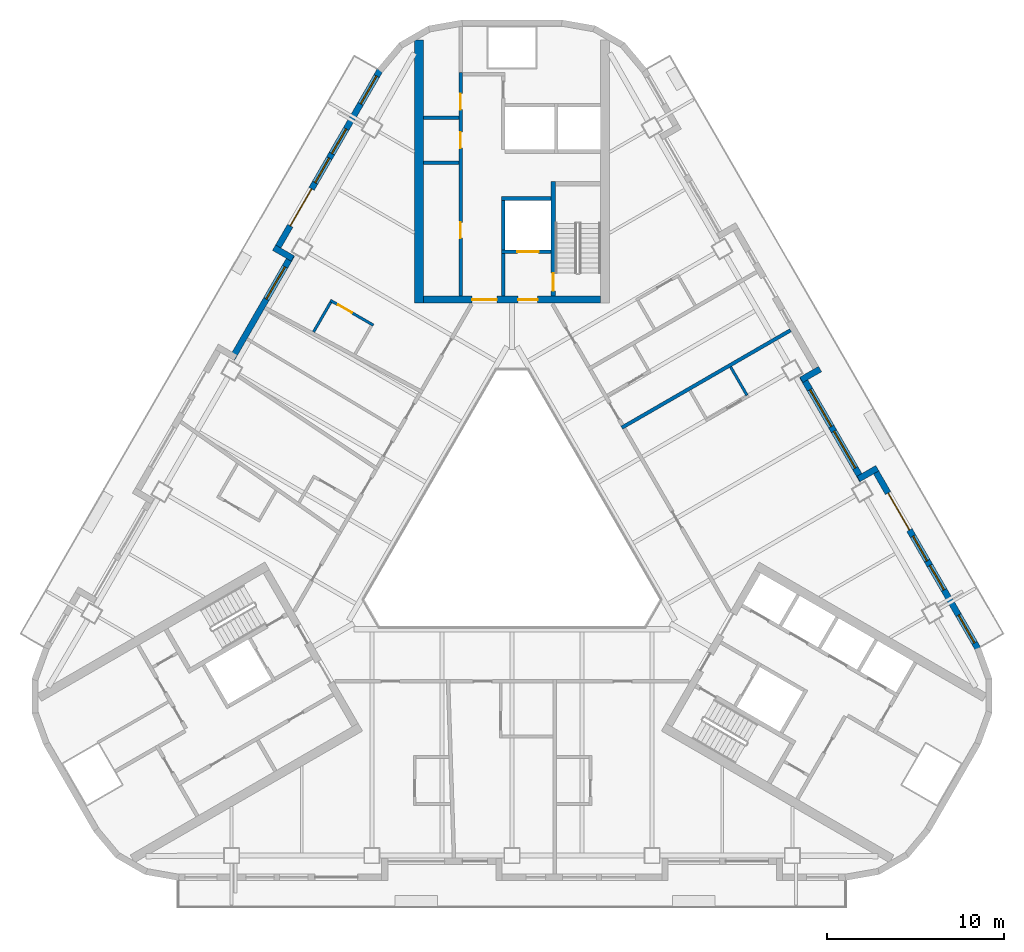
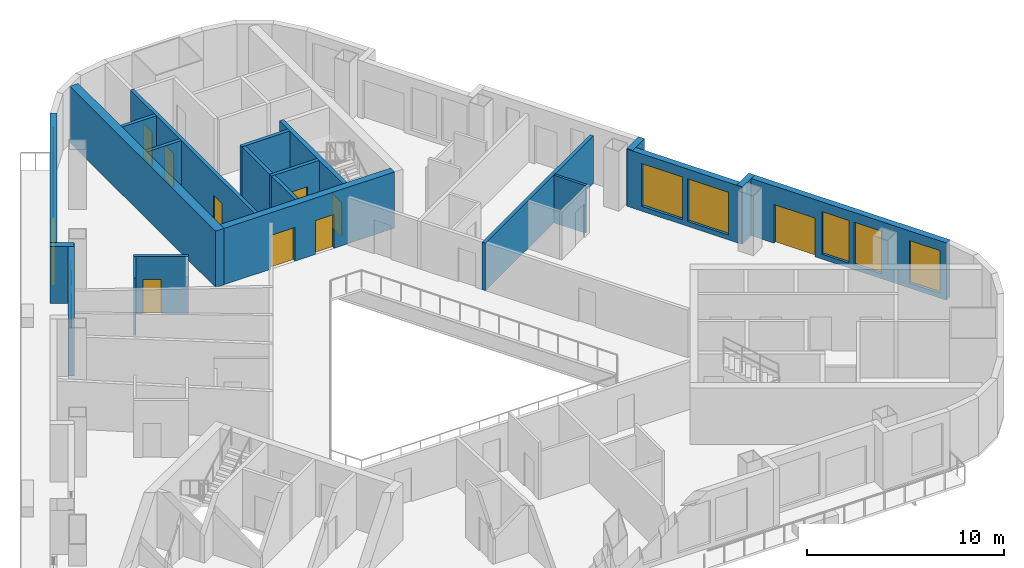
# One storey, part 6 of 13: 21 walls, 10 doors, 9 windows, 19 openings.
"""IFC4 building model written with IfcOpenShell, lengths in metres."""

import ifcopenshell
import ifcopenshell.guid

model = None  # the IFC model being written
_history = None  # IfcOwnerHistory: only IFC2X3 demands one
_inside = {}  # id of a spatial element -> (the spatial element, [elements in it])
_under = {}  # id of a project, library or spatial element -> (it, [spatial elements below it])
_declared = {}  # id of a project -> (the project, [libraries it declares])
_typed = {}  # id of a type object -> (the type object, [elements of that type])
_made_of = {}  # id of a material, layer set ... -> (it, [elements and type objects made of it])


def new_model(schema):
    """Start an empty IFC model of exactly this schema.

    Asked for "IFC4X3", IfcOpenShell would pick the latest addendum, in which some entities
    have other attributes; the version numbers below select the first issue.
    IFC2X3 requires an IfcOwnerHistory on every rooted entity: one is made here for all.
    """
    global model, _history
    if schema == "IFC4X3":
        model = ifcopenshell.file(schema_version=(4, 3, 0, 0))
    else:
        model = ifcopenshell.file(schema=schema)
    _inside.clear()
    _under.clear()
    _declared.clear()
    _typed.clear()
    _made_of.clear()
    _history = None
    if model.schema == "IFC2X3":
        org = make("IfcOrganization", Name="unknown")
        user = make(
            "IfcPersonAndOrganization",
            ThePerson=make("IfcPerson", FamilyName="unknown"),
            TheOrganization=org,
        )
        app = make(
            "IfcApplication",
            ApplicationDeveloper=org,
            Version="unknown",
            ApplicationFullName="unknown",
            ApplicationIdentifier="unknown",
        )
        _history = make(
            "IfcOwnerHistory",
            OwningUser=user,
            OwningApplication=app,
            ChangeAction="ADDED",
            CreationDate=0,
        )
    return model


def make(cls, **values):
    """One entity of the class cls with the attributes given. An attribute that is None is left unset."""
    return model.create_entity(
        cls, **{name: value for name, value in values.items() if value is not None}
    )


def rooted(cls, **values):
    """An entity with a GlobalId (a new one), such as an element, a storey or a relation."""
    return make(cls, GlobalId=ifcopenshell.guid.new(), OwnerHistory=_history, **values)


def si_unit(unit_type, name, prefix=None):
    """IfcSIUnit, for example si_unit("LENGTHUNIT", "METRE", prefix="MILLI")."""
    return make("IfcSIUnit", UnitType=unit_type, Prefix=prefix, Name=name)


def assignment(units):
    """IfcUnitAssignment: the units of a project."""
    return None if units is None else make("IfcUnitAssignment", Units=units)


def point(xyz):
    """IfcCartesianPoint."""
    return None if xyz is None else make("IfcCartesianPoint", Coordinates=xyz)


def direction(xyz):
    """IfcDirection."""
    return None if xyz is None else make("IfcDirection", DirectionRatios=xyz)


def frame(location, z_axis=None, x_axis=None):
    """IfcAxis2Placement3D, a coordinate frame: its origin and axes. An axis left out is left unset."""
    return make(
        "IfcAxis2Placement3D",
        Location=point(location),
        Axis=direction(z_axis),
        RefDirection=direction(x_axis),
    )


def frame_2d(location, x_axis=None):
    """IfcAxis2Placement2D, a coordinate frame in the plane: its origin and x axis."""
    return make(
        "IfcAxis2Placement2D", Location=point(location), RefDirection=direction(x_axis)
    )


def origin():
    """The frame at (0, 0, 0) with its axes left unset."""
    return frame((0.0, 0.0, 0.0))


def place(relative_to, where):
    """IfcLocalPlacement: puts the frame where relative to a parent placement (None: the world)."""
    return make(
        "IfcLocalPlacement", PlacementRelTo=relative_to, RelativePlacement=where
    )


def context(
    kind, dimensions, precision=None, world=None, true_north=None, identifier=None
):
    """IfcGeometricRepresentationContext, for example the 3D "Model" context."""
    return make(
        "IfcGeometricRepresentationContext",
        ContextIdentifier=identifier,
        ContextType=kind,
        CoordinateSpaceDimension=dimensions,
        Precision=precision,
        WorldCoordinateSystem=world,
        TrueNorth=true_north,
    )


def subcontext(parent, identifier, kind, view, scale=None):
    """IfcGeometricRepresentationSubContext, for example "Body" below "Model"."""
    return make(
        "IfcGeometricRepresentationSubContext",
        ContextIdentifier=identifier,
        ContextType=kind,
        ParentContext=parent,
        TargetScale=scale,
        TargetView=view,
    )


def project(units=None, contexts=None):
    """IfcProject with its units and contexts."""
    return rooted(
        "IfcProject",
        Name="project",
        RepresentationContexts=contexts,
        UnitsInContext=assignment(units),
    )


def spatial(cls, under=None, at=None, **own):
    """A site, building, storey or space (cls), placed at a placement, below another one or the project."""
    s = rooted(cls, ObjectPlacement=at, **own)
    if under is not None:
        _under.setdefault(under.id(), (under, []))[1].append(s)
    return s


def profile(cls, at=None, kind="AREA", **sizes):
    """A parametric profile (cls). Its sizes go by their IFC names, for example OverallWidth=200.0."""
    return make(cls, ProfileType=kind, Position=at, **sizes)


def rectangle(**sizes):
    """IfcRectangleProfileDef."""
    return profile("IfcRectangleProfileDef", **sizes)


def extrude(swept, where, along, depth):
    """IfcExtrudedAreaSolid: the profile swept, set in the frame where, extruded along a direction by depth."""
    return make(
        "IfcExtrudedAreaSolid",
        SweptArea=swept,
        Position=where,
        ExtrudedDirection=direction(along),
        Depth=depth,
    )


def shape(context_of_items, identifier, shape_type, items):
    """IfcShapeRepresentation: the items that make up one representation, for example the "Body"."""
    return make(
        "IfcShapeRepresentation",
        ContextOfItems=context_of_items,
        RepresentationIdentifier=identifier,
        RepresentationType=shape_type,
        Items=items,
    )


def material(Name=None, Category=None):
    """IfcMaterial."""
    return make("IfcMaterial", Name=Name, Category=Category)


def layer(
    of_material, thickness, ventilated=None, Name=None, Category=None, Priority=None
):
    """IfcMaterialLayer: one layer of a wall or slab, of a material (None: an air gap)."""
    return make(
        "IfcMaterialLayer",
        Material=of_material,
        LayerThickness=thickness,
        IsVentilated=ventilated,
        Name=Name,
        Category=Category,
        Priority=Priority,
    )


def layer_set(layers, Name=None):
    """IfcMaterialLayerSet."""
    return make("IfcMaterialLayerSet", MaterialLayers=layers, LayerSetName=Name)


def made_of(thing, what):
    """Note that an element or type object is made of a material, layer set ...; save() writes the relation."""
    if what is not None:
        _made_of.setdefault(what.id(), (what, []))[1].append(thing)
    return thing


def type_object(cls, material=None, **own):
    """A type object (cls), such as IfcWallType, which elements share."""
    return made_of(rooted(cls, **own), material)


def element(
    cls,
    number,
    at=None,
    inside=None,
    cuts=None,
    type_object=None,
    material=None,
    context=None,
    identifier="Body",
    shape_type=None,
    held_by="IfcProductDefinitionShape",
    body=None,
    shapes=None,
    **own,
):
    """One element of the class cls, such as IfcWall. Its Tag is "e" and its number.

    at: its placement. inside: the storey or other place that contains it. cuts: it is an
    opening in that element (IfcRelVoidsElement). A single representation is given by context,
    identifier, shape_type and body (its items); several are given by shapes. held_by: the class
    of the entity that holds the representations. save() writes the other relations.
    """
    e = rooted(cls, Tag="e%d" % number, ObjectPlacement=at, **own)
    if body is not None:
        shapes = [shape(context, identifier, shape_type, body)]
    if shapes is not None:
        e.Representation = make(held_by, Representations=shapes)
    if inside is not None:
        _inside.setdefault(inside.id(), (inside, []))[1].append(e)
    if cuts is not None:
        rooted(
            "IfcRelVoidsElement", RelatingBuildingElement=cuts, RelatedOpeningElement=e
        )
    if type_object is not None:
        _typed.setdefault(type_object.id(), (type_object, []))[1].append(e)
    return made_of(e, material)


def fill(opening, filler):
    """IfcRelFillsElement: the door or window that sits in an opening."""
    return rooted(
        "IfcRelFillsElement",
        RelatingOpeningElement=opening,
        RelatedBuildingElement=filler,
    )


def aggregate(whole, parts):
    """IfcRelAggregates: a whole, such as a stair, and the parts it consists of."""
    return rooted("IfcRelAggregates", RelatingObject=whole, RelatedObjects=parts)


def save(model, path):
    """Write the relations noted so far, then the file.

    IfcRelAggregates (storeys below a building ...), IfcRelContainedInSpatialStructure (elements
    in a storey), IfcRelDefinesByType, IfcRelAssociatesMaterial and IfcRelDeclares: one each for
    every whole, place, type object, material and project.
    """
    for whole, parts in _under.values():
        aggregate(whole, parts)
    for where, things in _inside.values():
        rooted(
            "IfcRelContainedInSpatialStructure",
            RelatedElements=things,
            RelatingStructure=where,
        )
    for kind, things in _typed.values():
        rooted("IfcRelDefinesByType", RelatedObjects=things, RelatingType=kind)
    for what, things in _made_of.values():
        rooted("IfcRelAssociatesMaterial", RelatedObjects=things, RelatingMaterial=what)
    for by, libraries in _declared.values():
        rooted("IfcRelDeclares", RelatingContext=by, RelatedDefinitions=libraries)
    model.write(path)


model = new_model("IFC4")

# Units and contexts
model_context = context("Model", 3, precision=1e-05, world=origin(), true_north=direction((0.0, 1.0)))
body_context = subcontext(model_context, "Body", "Model", "MODEL_VIEW")
ifc_project = project(units=[si_unit("LENGTHUNIT", "METRE"), si_unit("AREAUNIT", "SQUARE_METRE"), si_unit("VOLUMEUNIT", "CUBIC_METRE"), si_unit("PLANEANGLEUNIT", "RADIAN"), si_unit("MASSUNIT", "GRAM", prefix="KILO")], contexts=[model_context])

# Site, building, storey
site_placement = place(None, origin())
site = spatial("IfcSite", under=ifc_project, at=site_placement, CompositionType="ELEMENT")
building_placement = place(site_placement, origin())
building = spatial("IfcBuilding", under=site, at=building_placement, Name="Apuvela Tower Hotel", CompositionType="ELEMENT")
storey_placement = place(building_placement, frame((0.0, 0.0, 94.60009765625)))
storey = spatial("IfcBuildingStorey", under=building, at=storey_placement, Name="L21", CompositionType="ELEMENT", Elevation=94.60009765625)

# Wall, openings, doors
ifc_material_1 = material(Name="Concrete C50/60", Category="concrete")
ifc_layer_1 = layer(ifc_material_1, 0.39990234375)
ifc_layer_set_1 = layer_set([ifc_layer_1], Name="COR-WALL-CORE-400")
wall_type_1 = type_object("IfcWallType", Name="COR-WALL-CORE-400", PredefinedType="SHEAR", material=ifc_layer_set_1)
wall_1_placement = place(storey_placement, frame((5.0, 13.10009765625, 0.0), z_axis=(0.0, 0.0, 1.0), x_axis=(-1.0, 0.0, 0.0)))
wall_1 = element("IfcWall", 1, at=wall_1_placement, inside=storey, type_object=wall_type_1, Name="Core wall N", PredefinedType="SHEAR", context=body_context, shape_type="SweptSolid", body=[
    extrude(rectangle(XDim=10.0, YDim=0.39990234375, at=frame_2d((5.0, 0.0))), origin(), (0.0, 0.0, 1.0), 3.5),
])
opening_1_placement = place(wall_1_placement, frame((3.550048828125, 0.0, 0.0)))
opening_1 = element("IfcOpeningElement", 2, at=opening_1_placement, cuts=wall_1, Name="Opening N-FD", PredefinedType="OPENING", context=body_context, shape_type="SweptSolid", body=[
    extrude(rectangle(XDim=1.10009765625, YDim=2.10009765625, at=frame_2d((0.550048828125, 1.050048828125))), frame((0.0, 0.2099609375, 0.0), z_axis=(0.0, -1.0, 0.0), x_axis=(1.0, 0.0, 0.0)), (0.0, 0.0, 1.0), 0.419921875),
])
opening_2_placement = place(wall_1_placement, frame((5.85009765625, 0.0, 0.0)))
opening_2 = element("IfcOpeningElement", 3, at=opening_2_placement, cuts=wall_1, Name="Opening N-GD", PredefinedType="OPENING", context=body_context, shape_type="SweptSolid", body=[
    extrude(rectangle(XDim=1.39990234375, YDim=2.10009765625, at=frame_2d((0.699951171875, 1.050048828125))), frame((0.0, 0.2099609375, 0.0), z_axis=(0.0, -1.0, 0.0), x_axis=(1.0, 0.0, 0.0)), (0.0, 0.0, 1.0), 0.419921875),
])
ifc_material_2 = material(Name="Steel fire door, powder coated", Category="steel")
door_type_1 = type_object("IfcDoorType", Name="COR-FD-1100", OperationType="NOTDEFINED", PredefinedType="DOOR", material=ifc_material_2)
door_1_placement = place(opening_1_placement, frame((1.10009765625, 0.0, 0.0), z_axis=(0.0, 0.0, 1.0), x_axis=(-1.0, 0.0, 0.0)))
door_1 = element("IfcDoor", 4, at=door_1_placement, inside=storey, type_object=door_type_1, Name="Firefighting lobby door N-FD", OperationType="SINGLE_SWING_LEFT", OverallHeight=2.10009765625, OverallWidth=1.10009765625, PredefinedType="DOOR", context=body_context, shape_type="SweptSolid", body=[
    extrude(rectangle(XDim=1.10009765625, YDim=2.10009765625, at=frame_2d((0.550048828125, 1.050048828125))), frame((0.0, 0.02490234375, 0.0), z_axis=(0.0, -1.0, 0.0), x_axis=(1.0, 0.0, 0.0)), (0.0, 0.0, 1.0), 0.050048828125),
])
fill(opening_1, door_1)
ifc_material_3 = material(Name="Glazed steel fire door", Category="steel")
door_type_2 = type_object("IfcDoorType", Name="COR-GD-1400", OperationType="DOUBLE_DOOR_SINGLE_SWING", PredefinedType="DOOR", material=ifc_material_3)
door_2_placement = place(opening_2_placement, frame((1.39990234375, 0.0, 0.0), z_axis=(0.0, 0.0, 1.0), x_axis=(-1.0, 0.0, 0.0)))
door_2 = element("IfcDoor", 5, at=door_2_placement, inside=storey, type_object=door_type_2, Name="Lift lobby door N-GD", OperationType="DOUBLE_DOOR_SINGLE_SWING", OverallHeight=2.10009765625, OverallWidth=1.39990234375, PredefinedType="DOOR", context=body_context, shape_type="SweptSolid", body=[
    extrude(rectangle(XDim=1.39990234375, YDim=2.10009765625, at=frame_2d((0.699951171875, 1.050048828125))), frame((0.0, 0.02490234375, 0.0), z_axis=(0.0, -1.0, 0.0), x_axis=(1.0, 0.0, 0.0)), (0.0, 0.0, 1.0), 0.050048828125),
])
fill(opening_2, door_2)

# Walls
ifc_layer_2 = layer(ifc_material_1, 0.5)
ifc_layer_set_2 = layer_set([ifc_layer_2], Name="COR-WALL-CORE-500")
wall_type_2 = type_object("IfcWallType", Name="COR-WALL-CORE-500", PredefinedType="SHEAR", material=ifc_layer_set_2)
wall_2_placement = place(storey_placement, frame((-5.25, 12.89990234375, 0.0), z_axis=(0.0, 0.0, 1.0), x_axis=(0.0, 1.0, 0.0)))
element("IfcWall", 6, at=wall_2_placement, inside=storey, type_object=wall_type_2, Name="Core wall N", PredefinedType="SHEAR", context=body_context, shape_type="SweptSolid", body=[
    extrude(rectangle(XDim=14.8369140625, YDim=0.5, at=frame_2d((7.41845703125, 0.0))), origin(), (0.0, 0.0, 1.0), 3.5),
])
ifc_layer_3 = layer(ifc_material_1, 0.199951171875)
ifc_layer_set_3 = layer_set([ifc_layer_3], Name="COR-WALL-SHAFT-200")
wall_type_3 = type_object("IfcWallType", Name="COR-WALL-SHAFT-200", PredefinedType="SHEAR", material=ifc_layer_set_3)
wall_3_placement = place(storey_placement, frame((2.199951171875, 18.800048828125, 0.0), z_axis=(0.0, 0.0, 1.0), x_axis=(-1.0, 0.0, 0.0)))
element("IfcWall", 7, at=wall_3_placement, inside=storey, type_object=wall_type_3, Name="Shaft wall N", PredefinedType="SHEAR", context=body_context, shape_type="SweptSolid", body=[
    extrude(rectangle(XDim=2.800048828125, YDim=0.199951171875, at=frame_2d((1.39990234375, 0.0))), origin(), (0.0, 0.0, 1.0), 3.5),
])

# Wall, opening, door
wall_4_placement = place(storey_placement, frame((2.199951171875, 15.800048828125, 0.0), z_axis=(0.0, 0.0, 1.0), x_axis=(-1.0, 0.0, 0.0)))
wall_4 = element("IfcWall", 8, at=wall_4_placement, inside=storey, type_object=wall_type_3, Name="Shaft wall N", PredefinedType="SHEAR", context=body_context, shape_type="SweptSolid", body=[
    extrude(rectangle(XDim=2.800048828125, YDim=0.199951171875, at=frame_2d((1.39990234375, 0.0))), origin(), (0.0, 0.0, 1.0), 3.5),
])
opening_3_placement = place(wall_4_placement, frame((0.699951171875, 0.0, 0.0)))
opening_3 = element("IfcOpeningElement", 9, at=opening_3_placement, cuts=wall_4, Name="Opening N-LD-FS1", PredefinedType="OPENING", context=body_context, shape_type="SweptSolid", body=[
    extrude(rectangle(XDim=1.199951171875, YDim=2.10009765625, at=frame_2d((0.60009765625, 1.050048828125))), frame((0.0, 0.10986328125, 0.0), z_axis=(0.0, -1.0, 0.0), x_axis=(1.0, 0.0, 0.0)), (0.0, 0.0, 1.0), 0.219970703125),
])
ifc_material_4 = material(Name="Stainless steel lift landing door", Category="steel")
door_type_3 = type_object("IfcDoorType", Name="COR-LD-1200", OperationType="DOUBLE_DOOR_SLIDING", PredefinedType="DOOR", material=ifc_material_4)
door_3_placement = place(opening_3_placement, origin())
door_3 = element("IfcDoor", 10, at=door_3_placement, inside=storey, type_object=door_type_3, Name="Lift landing door N-LD-FS1", OperationType="DOUBLE_DOOR_SLIDING", OverallHeight=2.10009765625, OverallWidth=1.199951171875, PredefinedType="DOOR", context=body_context, shape_type="SweptSolid", body=[
    extrude(rectangle(XDim=1.199951171875, YDim=2.10009765625, at=frame_2d((0.60009765625, 1.050048828125))), frame((0.0, 0.02490234375, 0.0), z_axis=(0.0, -1.0, 0.0), x_axis=(1.0, 0.0, 0.0)), (0.0, 0.0, 1.0), 0.050048828125),
])
fill(opening_3, door_3)

# Walls
wall_5_placement = place(storey_placement, frame((-0.5, 15.89990234375, 0.0), z_axis=(0.0, 0.0, 1.0), x_axis=(0.0, 1.0, 0.0)))
element("IfcWall", 11, at=wall_5_placement, inside=storey, type_object=wall_type_3, Name="Shaft wall N", PredefinedType="SHEAR", context=body_context, shape_type="SweptSolid", body=[
    extrude(rectangle(XDim=2.800048828125, YDim=0.199951171875, at=frame_2d((1.39990234375, 0.0))), origin(), (0.0, 0.0, 1.0), 3.5),
])
wall_6_placement = place(storey_placement, frame((-0.5, 13.300048828125, 0.0), z_axis=(0.0, 0.0, 1.0), x_axis=(0.0, 1.0, 0.0)))
element("IfcWall", 12, at=wall_6_placement, inside=storey, type_object=wall_type_3, Name="Shaft wall N", PredefinedType="SHEAR", context=body_context, shape_type="SweptSolid", body=[
    extrude(rectangle(XDim=2.39990234375, YDim=0.199951171875, at=frame_2d((1.199951171875, 0.0))), origin(), (0.0, 0.0, 1.0), 3.5),
])

# Wall, openings, doors
wall_7_placement = place(storey_placement, frame((-2.89990234375, 13.300048828125, 0.0), z_axis=(0.0, 0.0, 1.0), x_axis=(0.0, 1.0, 0.0)))
wall_7 = element("IfcWall", 13, at=wall_7_placement, inside=storey, type_object=wall_type_3, Name="Shaft wall N", PredefinedType="SHEAR", context=body_context, shape_type="SweptSolid", body=[
    extrude(rectangle(XDim=12.599853515625, YDim=0.199951171875, at=frame_2d((6.2998046875, 0.0))), origin(), (0.0, 0.0, 1.0), 3.5),
])
opening_4_placement = place(wall_7_placement, frame((3.260009765625, 0.0, 0.0)))
opening_4 = element("IfcOpeningElement", 14, at=opening_4_placement, cuts=wall_7, Name="Opening N-RE1", PredefinedType="OPENING", context=body_context, shape_type="SweptSolid", body=[
    extrude(rectangle(XDim=0.89990234375, YDim=2.10009765625, at=frame_2d((0.449951171875, 1.050048828125))), frame((0.0, 0.10986328125, 0.0), z_axis=(0.0, -1.0, 0.0), x_axis=(1.0, 0.0, 0.0)), (0.0, 0.0, 1.0), 0.219970703125),
])
opening_5_placement = place(wall_7_placement, frame((8.340087890625, 0.0, 0.0)))
opening_5 = element("IfcOpeningElement", 15, at=opening_5_placement, cuts=wall_7, Name="Opening N-RE4", PredefinedType="OPENING", context=body_context, shape_type="SweptSolid", body=[
    extrude(rectangle(XDim=0.89990234375, YDim=2.10009765625, at=frame_2d((0.449951171875, 1.050048828125))), frame((0.0, 0.10986328125, 0.0), z_axis=(0.0, -1.0, 0.0), x_axis=(1.0, 0.0, 0.0)), (0.0, 0.0, 1.0), 0.219970703125),
])
opening_6_placement = place(wall_7_placement, frame((10.510009765625, 0.0, 0.0)))
opening_6 = element("IfcOpeningElement", 16, at=opening_6_placement, cuts=wall_7, Name="Opening N-REP", PredefinedType="OPENING", context=body_context, shape_type="SweptSolid", body=[
    extrude(rectangle(XDim=0.89990234375, YDim=2.10009765625, at=frame_2d((0.449951171875, 1.050048828125))), frame((0.0, 0.10986328125, 0.0), z_axis=(0.0, -1.0, 0.0), x_axis=(1.0, 0.0, 0.0)), (0.0, 0.0, 1.0), 0.219970703125),
])
door_type_4 = type_object("IfcDoorType", Name="COR-DR-900", OperationType="NOTDEFINED", PredefinedType="DOOR", material=ifc_material_2)
door_4_placement = place(opening_4_placement, origin())
door_4 = element("IfcDoor", 17, at=door_4_placement, inside=storey, type_object=door_type_4, Name="Store door N-RE1", OperationType="SINGLE_SWING_LEFT", OverallHeight=2.10009765625, OverallWidth=0.89990234375, PredefinedType="DOOR", context=body_context, shape_type="SweptSolid", body=[
    extrude(rectangle(XDim=0.89990234375, YDim=2.10009765625, at=frame_2d((0.449951171875, 1.050048828125))), frame((0.0, 0.02490234375, 0.0), z_axis=(0.0, -1.0, 0.0), x_axis=(1.0, 0.0, 0.0)), (0.0, 0.0, 1.0), 0.050048828125),
])
fill(opening_4, door_4)
door_5_placement = place(opening_5_placement, origin())
door_5 = element("IfcDoor", 18, at=door_5_placement, inside=storey, type_object=door_type_4, Name="Store door N-RE4", OperationType="SINGLE_SWING_LEFT", OverallHeight=2.10009765625, OverallWidth=0.89990234375, PredefinedType="DOOR", context=body_context, shape_type="SweptSolid", body=[
    extrude(rectangle(XDim=0.89990234375, YDim=2.10009765625, at=frame_2d((0.449951171875, 1.050048828125))), frame((0.0, 0.02490234375, 0.0), z_axis=(0.0, -1.0, 0.0), x_axis=(1.0, 0.0, 0.0)), (0.0, 0.0, 1.0), 0.050048828125),
])
fill(opening_5, door_5)
door_6_placement = place(opening_6_placement, origin())
door_6 = element("IfcDoor", 19, at=door_6_placement, inside=storey, type_object=door_type_4, Name="Store door N-REP", OperationType="SINGLE_SWING_RIGHT", OverallHeight=2.10009765625, OverallWidth=0.89990234375, PredefinedType="DOOR", context=body_context, shape_type="SweptSolid", body=[
    extrude(rectangle(XDim=0.89990234375, YDim=2.10009765625, at=frame_2d((0.449951171875, 1.050048828125))), frame((0.0, 0.02490234375, 0.0), z_axis=(0.0, -1.0, 0.0), x_axis=(1.0, 0.0, 0.0)), (0.0, 0.0, 1.0), 0.050048828125),
])
fill(opening_6, door_6)

# Walls
for number, where, z_axis, x_axis, name in (
    (20, (-3.0, 20.820068359375, 0.0), (0.0, 0.0, 1.0), (-1.0, 0.0, 0.0), "Shaft wall N"),
    (21, (-3.0, 23.360107421875, 0.0), (0.0, 0.0, 1.0), (-1.0, 0.0, 0.0), "Shaft wall N"),
):
    element("IfcWall", number, at=place(storey_placement, frame(where, z_axis=z_axis, x_axis=x_axis)), inside=storey, type_object=wall_type_3, Name=name, PredefinedType="SHEAR", context=body_context, shape_type="SweptSolid", body=[
        extrude(rectangle(XDim=2.0, YDim=0.199951171875, at=frame_2d((1.0, 0.0))), origin(), (0.0, 0.0, 1.0), 3.5),
    ])

# Wall, opening, door
ifc_layer_4 = layer(ifc_material_1, 0.25)
ifc_layer_set_4 = layer_set([ifc_layer_4], Name="COR-WALL-STAIR-250")
wall_type_4 = type_object("IfcWallType", Name="COR-WALL-STAIR-250", PredefinedType="SHEAR", material=ifc_layer_set_4)
wall_8_placement = place(storey_placement, frame((2.324951171875, 13.300048828125, 0.0), z_axis=(0.0, 0.0, 1.0), x_axis=(0.0, 1.0, 0.0)))
wall_8 = element("IfcWall", 22, at=wall_8_placement, inside=storey, type_object=wall_type_4, Name="Stair wall N", PredefinedType="SHEAR", context=body_context, shape_type="SweptSolid", body=[
    extrude(rectangle(XDim=6.449951171875, YDim=0.25, at=frame_2d((3.22509765625, 0.0))), origin(), (0.0, 0.0, 1.0), 3.5),
])
opening_7_placement = place(wall_8_placement, frame((0.300048828125, 0.0, 0.0)))
opening_7 = element("IfcOpeningElement", 23, at=opening_7_placement, cuts=wall_8, Name="Opening N-SD", PredefinedType="OPENING", context=body_context, shape_type="SweptSolid", body=[
    extrude(rectangle(XDim=1.0, YDim=2.10009765625, at=frame_2d((0.5, 1.050048828125))), frame((0.0, 0.135009765625, 0.0), z_axis=(0.0, -1.0, 0.0), x_axis=(1.0, 0.0, 0.0)), (0.0, 0.0, 1.0), 0.27001953125),
])
door_type_5 = type_object("IfcDoorType", Name="COR-SD-1000", OperationType="NOTDEFINED", PredefinedType="DOOR", material=ifc_material_2)
door_7_placement = place(opening_7_placement, frame((1.0, 0.0, 0.0), z_axis=(0.0, 0.0, 1.0), x_axis=(-1.0, 0.0, 0.0)))
door_7 = element("IfcDoor", 24, at=door_7_placement, inside=storey, type_object=door_type_5, Name="Stair door N-SD", OperationType="SINGLE_SWING_LEFT", OverallHeight=2.10009765625, OverallWidth=1.0, PredefinedType="DOOR", context=body_context, shape_type="SweptSolid", body=[
    extrude(rectangle(XDim=1.0, YDim=2.10009765625, at=frame_2d((0.5, 1.050048828125))), frame((0.0, 0.02490234375, 0.0), z_axis=(0.0, -1.0, 0.0), x_axis=(1.0, 0.0, 0.0)), (0.0, 0.0, 1.0), 0.050048828125),
])
fill(opening_7, door_7)

# Wall, openings, door, windows
ifc_material_5 = material(Name="Concrete C40/50, dark pigmented precast panel", Category="concrete")
ifc_layer_5 = layer(ifc_material_5, 0.35009765625)
ifc_layer_set_5 = layer_set([ifc_layer_5], Name="ENV-WALL-350")
wall_type_5 = type_object("IfcWallType", Name="ENV-WALL-350", PredefinedType="SOLIDWALL", material=ifc_layer_set_5)
wall_9_placement = place(storey_placement, frame((-7.440673828125, 26.0224609375, 0.0), z_axis=(0.0, 0.0, 1.0), x_axis=(-0.499992533062, -0.86602971478, 0.0)))
wall_9 = element("IfcWall", 25, at=wall_9_placement, inside=storey, type_object=wall_type_5, Name="External wall L21-01", PredefinedType="SOLIDWALL", context=body_context, shape_type="SweptSolid", body=[
    extrude(rectangle(XDim=11.815673828125, YDim=0.35009765625, at=frame_2d((5.90771484375, 0.0))), origin(), (0.0, 0.0, 1.0), 3.5498046875),
])
opening_8_placement = place(wall_9_placement, frame((0.381103515625, 0.0, 0.300048828125)))
opening_8 = element("IfcOpeningElement", 26, at=opening_8_placement, cuts=wall_9, Name="Opening WN18", PredefinedType="OPENING", context=body_context, shape_type="SweptSolid", body=[
    extrude(rectangle(XDim=1.800048828125, YDim=2.64990234375, at=frame_2d((0.89990234375, 1.324951171875))), frame((0.0, 0.18505859375, 0.0), z_axis=(0.0, -1.0, 0.0), x_axis=(1.0, 0.0, 0.0)), (0.0, 0.0, 1.0), 0.3701171875),
])
opening_9_placement = place(wall_9_placement, frame((7.7158203125, 0.0, 0.0)))
opening_9 = element("IfcOpeningElement", 27, at=opening_9_placement, cuts=wall_9, Name="Opening BD24", PredefinedType="OPENING", context=body_context, shape_type="SweptSolid", body=[
    extrude(rectangle(XDim=2.39990234375, YDim=2.39990234375, at=frame_2d((1.199951171875, 1.199951171875))), frame((0.0, 0.18505859375, 0.0), z_axis=(0.0, -1.0, 0.0), x_axis=(1.0, 0.0, 0.0)), (0.0, 0.0, 1.0), 0.3701171875),
])
opening_10_placement = place(wall_9_placement, frame((3.815185546875, 0.0, 0.300048828125)))
opening_10 = element("IfcOpeningElement", 28, at=opening_10_placement, cuts=wall_9, Name="Opening WN16", PredefinedType="OPENING", context=body_context, shape_type="SweptSolid", body=[
    extrude(rectangle(XDim=1.60009765625, YDim=2.64990234375, at=frame_2d((0.800048828125, 1.324951171875))), frame((0.0, 0.18505859375, 0.0), z_axis=(0.0, -1.0, 0.0), x_axis=(1.0, 0.0, 0.0)), (0.0, 0.0, 1.0), 0.3701171875),
])
opening_11_placement = place(wall_9_placement, frame((5.715087890625, 0.0, 0.300048828125)))
opening_11 = element("IfcOpeningElement", 29, at=opening_11_placement, cuts=wall_9, Name="Opening WN16", PredefinedType="OPENING", context=body_context, shape_type="SweptSolid", body=[
    extrude(rectangle(XDim=1.60009765625, YDim=2.64990234375, at=frame_2d((0.800048828125, 1.324951171875))), frame((0.0, 0.18505859375, 0.0), z_axis=(0.0, -1.0, 0.0), x_axis=(1.0, 0.0, 0.0)), (0.0, 0.0, 1.0), 0.3701171875),
])
ifc_material_6 = material(Name="Aluminium 6063-T6, dark bronze anodised frame with dark tinted laminated glass", Category="aluminium")
door_type_6 = type_object("IfcDoorType", Name="ENV-DOOR-BALCONY-2400x2400", OperationType="SLIDING_TO_LEFT", PredefinedType="DOOR", material=ifc_material_6)
door_8_placement = place(opening_9_placement, frame((2.39990234375, 0.0, 0.0), z_axis=(0.0, 0.0, 1.0), x_axis=(-1.0, 0.0, 0.0)))
door_8 = element("IfcDoor", 30, at=door_8_placement, inside=storey, type_object=door_type_6, Name="Balcony door BD24", OperationType="SLIDING_TO_LEFT", OverallHeight=2.39990234375, OverallWidth=2.39990234375, PredefinedType="DOOR", context=body_context, shape_type="SweptSolid", body=[
    extrude(rectangle(XDim=2.39990234375, YDim=2.39990234375, at=frame_2d((1.199951171875, 1.199951171875))), frame((0.0, 0.02490234375, 0.0), z_axis=(0.0, -1.0, 0.0), x_axis=(1.0, 0.0, 0.0)), (0.0, 0.0, 1.0), 0.050048828125),
])
fill(opening_9, door_8)
ifc_material_7 = material(Name="Glass, dark tinted laminated insulated glazing unit", Category="glass")
window_type_1 = type_object("IfcWindowType", Name="ENV-WIN-1600x2650", PartitioningType="SINGLE_PANEL", PredefinedType="WINDOW", material=ifc_material_7)
window_1_placement = place(opening_10_placement, origin())
window_1 = element("IfcWindow", 31, at=window_1_placement, inside=storey, type_object=window_type_1, Name="Window WN16", OverallHeight=2.64990234375, OverallWidth=1.60009765625, PartitioningType="SINGLE_PANEL", PredefinedType="WINDOW", context=body_context, shape_type="SweptSolid", body=[
    extrude(rectangle(XDim=1.60009765625, YDim=2.64990234375, at=frame_2d((0.800048828125, 1.324951171875))), frame((0.0, 0.030029296875, 0.0), z_axis=(0.0, -1.0, 0.0), x_axis=(1.0, 0.0, 0.0)), (0.0, 0.0, 1.0), 0.06005859375),
])
fill(opening_10, window_1)
window_2_placement = place(opening_11_placement, origin())
window_2 = element("IfcWindow", 32, at=window_2_placement, inside=storey, type_object=window_type_1, Name="Window WN16", OverallHeight=2.64990234375, OverallWidth=1.60009765625, PartitioningType="SINGLE_PANEL", PredefinedType="WINDOW", context=body_context, shape_type="SweptSolid", body=[
    extrude(rectangle(XDim=1.60009765625, YDim=2.64990234375, at=frame_2d((0.800048828125, 1.324951171875))), frame((0.0, 0.030029296875, 0.0), z_axis=(0.0, -1.0, 0.0), x_axis=(1.0, 0.0, 0.0)), (0.0, 0.0, 1.0), 0.06005859375),
])
fill(opening_11, window_2)
window_type_2 = type_object("IfcWindowType", Name="ENV-WIN-1800x2650", PartitioningType="SINGLE_PANEL", PredefinedType="WINDOW", material=ifc_material_7)
window_3_placement = place(opening_8_placement, origin())
window_3 = element("IfcWindow", 33, at=window_3_placement, inside=storey, type_object=window_type_2, Name="Window WN18", OverallHeight=2.64990234375, OverallWidth=1.800048828125, PartitioningType="SINGLE_PANEL", PredefinedType="WINDOW", context=body_context, shape_type="SweptSolid", body=[
    extrude(rectangle(XDim=1.800048828125, YDim=2.64990234375, at=frame_2d((0.89990234375, 1.324951171875))), frame((0.0, 0.030029296875, 0.0), z_axis=(0.0, -1.0, 0.0), x_axis=(1.0, 0.0, 0.0)), (0.0, 0.0, 1.0), 0.06005859375),
])
fill(opening_8, window_3)

# Wall
wall_10_placement = place(storey_placement, frame((-13.41259765625, 16.02880859375, 0.0), z_axis=(0.0, 0.0, 1.0), x_axis=(0.866005645448, -0.500034220881, 0.0)))
element("IfcWall", 34, at=wall_10_placement, inside=storey, type_object=wall_type_5, Name="External wall L21-02", PredefinedType="SOLIDWALL", context=body_context, shape_type="SweptSolid", body=[
    extrude(rectangle(XDim=1.22021484375, YDim=0.35009765625, at=frame_2d((0.610107421875, 0.0))), origin(), (0.0, 0.0, 1.0), 3.5498046875),
])

# Wall, opening, window
wall_11_placement = place(storey_placement, frame((-12.408935546875, 15.616943359375, 0.0), z_axis=(0.0, 0.0, 1.0), x_axis=(-0.500003597184, -0.866023326939, 0.0)))
wall_11 = element("IfcWall", 35, at=wall_11_placement, inside=storey, type_object=wall_type_5, Name="External wall L21-03", PredefinedType="SOLIDWALL", context=body_context, shape_type="SweptSolid", body=[
    extrude(rectangle(XDim=6.740234375, YDim=0.35009765625, at=frame_2d((3.3701171875, 0.0))), origin(), (0.0, 0.0, 1.0), 3.5498046875),
])
opening_12_placement = place(wall_11_placement, frame((0.77001953125, 0.0, 0.300048828125)))
opening_12 = element("IfcOpeningElement", 36, at=opening_12_placement, cuts=wall_11, Name="Opening WN21", PredefinedType="OPENING", context=body_context, shape_type="SweptSolid", body=[
    extrude(rectangle(XDim=2.10009765625, YDim=2.64990234375, at=frame_2d((1.050048828125, 1.324951171875))), frame((0.0, 0.18505859375, 0.0), z_axis=(0.0, -1.0, 0.0), x_axis=(1.0, 0.0, 0.0)), (0.0, 0.0, 1.0), 0.3701171875),
])
window_type_3 = type_object("IfcWindowType", Name="ENV-WIN-2100x2650", PartitioningType="SINGLE_PANEL", PredefinedType="WINDOW", material=ifc_material_7)
window_4_placement = place(opening_12_placement, origin())
window_4 = element("IfcWindow", 37, at=window_4_placement, inside=storey, type_object=window_type_3, Name="Window WN21", OverallHeight=2.64990234375, OverallWidth=2.10009765625, PartitioningType="SINGLE_PANEL", PredefinedType="WINDOW", context=body_context, shape_type="SweptSolid", body=[
    extrude(rectangle(XDim=2.10009765625, YDim=2.64990234375, at=frame_2d((1.050048828125, 1.324951171875))), frame((0.0, 0.030029296875, 0.0), z_axis=(0.0, -1.0, 0.0), x_axis=(1.0, 0.0, 0.0)), (0.0, 0.0, 1.0), 0.06005859375),
])
fill(opening_12, window_4)

# Wall, openings, door, windows
wall_12_placement = place(storey_placement, frame((26.256591796875, -6.5673828125, 0.0), z_axis=(0.0, 0.0, 1.0), x_axis=(-0.500023526245, 0.866011820475, 0.0)))
wall_12 = element("IfcWall", 38, at=wall_12_placement, inside=storey, type_object=wall_type_5, Name="External wall L21-33", PredefinedType="SOLIDWALL", context=body_context, shape_type="SweptSolid", body=[
    extrude(rectangle(XDim=11.81591796875, YDim=0.35009765625, at=frame_2d((5.907958984375, 0.0))), origin(), (0.0, 0.0, 1.0), 3.5498046875),
])
opening_13_placement = place(wall_12_placement, frame((0.380126953125, 0.0, 0.300048828125)))
opening_13 = element("IfcOpeningElement", 39, at=opening_13_placement, cuts=wall_12, Name="Opening WN18", PredefinedType="OPENING", context=body_context, shape_type="SweptSolid", body=[
    extrude(rectangle(XDim=1.800048828125, YDim=2.64990234375, at=frame_2d((0.89990234375, 1.324951171875))), frame((0.0, 0.18505859375, 0.0), z_axis=(0.0, -1.0, 0.0), x_axis=(1.0, 0.0, 0.0)), (0.0, 0.0, 1.0), 0.3701171875),
])
opening_14_placement = place(wall_12_placement, frame((7.71630859375, 0.0, 0.0)))
opening_14 = element("IfcOpeningElement", 40, at=opening_14_placement, cuts=wall_12, Name="Opening BD24", PredefinedType="OPENING", context=body_context, shape_type="SweptSolid", body=[
    extrude(rectangle(XDim=2.39990234375, YDim=2.39990234375, at=frame_2d((1.199951171875, 1.199951171875))), frame((0.0, 0.18505859375, 0.0), z_axis=(0.0, -1.0, 0.0), x_axis=(1.0, 0.0, 0.0)), (0.0, 0.0, 1.0), 0.3701171875),
])
opening_15_placement = place(wall_12_placement, frame((3.81591796875, 0.0, 0.300048828125)))
opening_15 = element("IfcOpeningElement", 41, at=opening_15_placement, cuts=wall_12, Name="Opening WN16", PredefinedType="OPENING", context=body_context, shape_type="SweptSolid", body=[
    extrude(rectangle(XDim=1.60009765625, YDim=2.64990234375, at=frame_2d((0.800048828125, 1.324951171875))), frame((0.0, 0.18505859375, 0.0), z_axis=(0.0, -1.0, 0.0), x_axis=(1.0, 0.0, 0.0)), (0.0, 0.0, 1.0), 0.3701171875),
])
opening_16_placement = place(wall_12_placement, frame((5.7158203125, 0.0, 0.300048828125)))
opening_16 = element("IfcOpeningElement", 42, at=opening_16_placement, cuts=wall_12, Name="Opening WN16", PredefinedType="OPENING", context=body_context, shape_type="SweptSolid", body=[
    extrude(rectangle(XDim=1.60009765625, YDim=2.64990234375, at=frame_2d((0.800048828125, 1.324951171875))), frame((0.0, 0.18505859375, 0.0), z_axis=(0.0, -1.0, 0.0), x_axis=(1.0, 0.0, 0.0)), (0.0, 0.0, 1.0), 0.3701171875),
])
door_9_placement = place(opening_14_placement, frame((2.39990234375, 0.0, 0.0), z_axis=(0.0, 0.0, 1.0), x_axis=(-1.0, 0.0, 0.0)))
door_9 = element("IfcDoor", 43, at=door_9_placement, inside=storey, type_object=door_type_6, Name="Balcony door BD24", OperationType="SLIDING_TO_LEFT", OverallHeight=2.39990234375, OverallWidth=2.39990234375, PredefinedType="DOOR", context=body_context, shape_type="SweptSolid", body=[
    extrude(rectangle(XDim=2.39990234375, YDim=2.39990234375, at=frame_2d((1.199951171875, 1.199951171875))), frame((0.0, 0.02490234375, 0.0), z_axis=(0.0, -1.0, 0.0), x_axis=(1.0, 0.0, 0.0)), (0.0, 0.0, 1.0), 0.050048828125),
])
fill(opening_14, door_9)
window_5_placement = place(opening_15_placement, origin())
window_5 = element("IfcWindow", 44, at=window_5_placement, inside=storey, type_object=window_type_1, Name="Window WN16", OverallHeight=2.64990234375, OverallWidth=1.60009765625, PartitioningType="SINGLE_PANEL", PredefinedType="WINDOW", context=body_context, shape_type="SweptSolid", body=[
    extrude(rectangle(XDim=1.60009765625, YDim=2.64990234375, at=frame_2d((0.800048828125, 1.324951171875))), frame((0.0, 0.030029296875, 0.0), z_axis=(0.0, -1.0, 0.0), x_axis=(1.0, 0.0, 0.0)), (0.0, 0.0, 1.0), 0.06005859375),
])
fill(opening_15, window_5)
window_6_placement = place(opening_16_placement, origin())
window_6 = element("IfcWindow", 45, at=window_6_placement, inside=storey, type_object=window_type_1, Name="Window WN16", OverallHeight=2.64990234375, OverallWidth=1.60009765625, PartitioningType="SINGLE_PANEL", PredefinedType="WINDOW", context=body_context, shape_type="SweptSolid", body=[
    extrude(rectangle(XDim=1.60009765625, YDim=2.64990234375, at=frame_2d((0.800048828125, 1.324951171875))), frame((0.0, 0.030029296875, 0.0), z_axis=(0.0, -1.0, 0.0), x_axis=(1.0, 0.0, 0.0)), (0.0, 0.0, 1.0), 0.06005859375),
])
fill(opening_16, window_6)
window_7_placement = place(opening_13_placement, origin())
window_7 = element("IfcWindow", 46, at=window_7_placement, inside=storey, type_object=window_type_2, Name="Window WN18", OverallHeight=2.64990234375, OverallWidth=1.800048828125, PartitioningType="SINGLE_PANEL", PredefinedType="WINDOW", context=body_context, shape_type="SweptSolid", body=[
    extrude(rectangle(XDim=1.800048828125, YDim=2.64990234375, at=frame_2d((0.89990234375, 1.324951171875))), frame((0.0, 0.030029296875, 0.0), z_axis=(0.0, -1.0, 0.0), x_axis=(1.0, 0.0, 0.0)), (0.0, 0.0, 1.0), 0.06005859375),
])
fill(opening_13, window_7)

# Wall
wall_13_placement = place(storey_placement, frame((20.587646484375, 3.601318359375, 0.0), z_axis=(0.0, 0.0, 1.0), x_axis=(-0.866005645448, -0.500034220881, 0.0)))
element("IfcWall", 47, at=wall_13_placement, inside=storey, type_object=wall_type_5, Name="External wall L21-34", PredefinedType="SOLIDWALL", context=body_context, shape_type="SweptSolid", body=[
    extrude(rectangle(XDim=1.22021484375, YDim=0.35009765625, at=frame_2d((0.610107421875, 0.0))), origin(), (0.0, 0.0, 1.0), 3.5498046875),
])

# Wall, openings, windows
wall_14_placement = place(storey_placement, frame((19.72900390625, 2.93798828125, 0.0), z_axis=(0.0, 0.0, 1.0), x_axis=(-0.499976430342, 0.866039011305, 0.0)))
wall_14 = element("IfcWall", 48, at=wall_14_placement, inside=storey, type_object=wall_type_5, Name="External wall L21-35", PredefinedType="SOLIDWALL", context=body_context, shape_type="SweptSolid", body=[
    extrude(rectangle(XDim=6.739990234375, YDim=0.35009765625, at=frame_2d((3.3701171875, 0.0))), origin(), (0.0, 0.0, 1.0), 3.5498046875),
])
opening_17_placement = place(wall_14_placement, frame((0.77001953125, 0.0, 0.300048828125)))
opening_17 = element("IfcOpeningElement", 49, at=opening_17_placement, cuts=wall_14, Name="Opening WN24", PredefinedType="OPENING", context=body_context, shape_type="SweptSolid", body=[
    extrude(rectangle(XDim=2.39990234375, YDim=2.64990234375, at=frame_2d((1.199951171875, 1.324951171875))), frame((0.0, 0.18505859375, 0.0), z_axis=(0.0, -1.0, 0.0), x_axis=(1.0, 0.0, 0.0)), (0.0, 0.0, 1.0), 0.3701171875),
])
opening_18_placement = place(wall_14_placement, frame((3.469970703125, 0.0, 0.300048828125)))
opening_18 = element("IfcOpeningElement", 50, at=opening_18_placement, cuts=wall_14, Name="Opening WN24", PredefinedType="OPENING", context=body_context, shape_type="SweptSolid", body=[
    extrude(rectangle(XDim=2.39990234375, YDim=2.64990234375, at=frame_2d((1.199951171875, 1.324951171875))), frame((0.0, 0.18505859375, 0.0), z_axis=(0.0, -1.0, 0.0), x_axis=(1.0, 0.0, 0.0)), (0.0, 0.0, 1.0), 0.3701171875),
])
window_type_4 = type_object("IfcWindowType", Name="ENV-WIN-2400x2650", PartitioningType="SINGLE_PANEL", PredefinedType="WINDOW", material=ifc_material_7)
window_8_placement = place(opening_17_placement, origin())
window_8 = element("IfcWindow", 51, at=window_8_placement, inside=storey, type_object=window_type_4, Name="Window WN24", OverallHeight=2.64990234375, OverallWidth=2.39990234375, PartitioningType="SINGLE_PANEL", PredefinedType="WINDOW", context=body_context, shape_type="SweptSolid", body=[
    extrude(rectangle(XDim=2.39990234375, YDim=2.64990234375, at=frame_2d((1.199951171875, 1.324951171875))), frame((0.0, 0.030029296875, 0.0), z_axis=(0.0, -1.0, 0.0), x_axis=(1.0, 0.0, 0.0)), (0.0, 0.0, 1.0), 0.06005859375),
])
fill(opening_17, window_8)
window_9_placement = place(opening_18_placement, origin())
window_9 = element("IfcWindow", 52, at=window_9_placement, inside=storey, type_object=window_type_4, Name="Window WN24", OverallHeight=2.64990234375, OverallWidth=2.39990234375, PartitioningType="SINGLE_PANEL", PredefinedType="WINDOW", context=body_context, shape_type="SweptSolid", body=[
    extrude(rectangle(XDim=2.39990234375, YDim=2.64990234375, at=frame_2d((1.199951171875, 1.324951171875))), frame((0.0, 0.030029296875, 0.0), z_axis=(0.0, -1.0, 0.0), x_axis=(1.0, 0.0, 0.0)), (0.0, 0.0, 1.0), 0.06005859375),
])
fill(opening_18, window_9)

# Walls
wall_15_placement = place(storey_placement, frame((16.305908203125, 8.5771484375, 0.0), z_axis=(0.0, 0.0, 1.0), x_axis=(0.866092288191, 0.499884134912, 0.0)))
element("IfcWall", 53, at=wall_15_placement, inside=storey, type_object=wall_type_5, Name="External wall L21-36", PredefinedType="SOLIDWALL", context=body_context, shape_type="SweptSolid", body=[
    extrude(rectangle(XDim=1.219970703125, YDim=0.35009765625, at=frame_2d((0.60986328125, 0.0))), origin(), (0.0, 0.0, 1.0), 3.5498046875),
])
ifc_material_8 = material(Name="Gypsum board partition on twin steel stud", Category="steel")
ifc_layer_6 = layer(ifc_material_8, 0.199951171875)
ifc_layer_set_6 = layer_set([ifc_layer_6], Name="GST-PW1")
wall_type_6 = type_object("IfcWallType", Name="GST-PW1", PredefinedType="PARTITIONING", material=ifc_layer_set_6)
wall_16_placement = place(storey_placement, frame((15.697021484375, 11.3720703125, 0.0), z_axis=(0.0, 0.0, 1.0), x_axis=(-0.866027479907, -0.499996404033, 0.0)))
element("IfcWall", 54, at=wall_16_placement, inside=storey, type_object=wall_type_6, Name="L21 partition 03", PredefinedType="PARTITIONING", context=body_context, shape_type="SweptSolid", body=[
    extrude(rectangle(XDim=10.97998046875, YDim=0.199951171875, at=frame_2d((5.489990234375, 0.0))), origin(), (0.0, 0.0, 1.0), 2.9599609375),
])
ifc_material_9 = material(Name="Moisture-resistant gypsum board wet wall on steel stud", Category="steel")
ifc_layer_7 = layer(ifc_material_9, 0.14990234375)
ifc_layer_set_7 = layer_set([ifc_layer_7], Name="GST-PW3")
wall_type_7 = type_object("IfcWallType", Name="GST-PW3", PredefinedType="PARTITIONING", material=ifc_layer_set_7)
wall_17_placement = place(storey_placement, frame((13.246826171875, 7.705810546875, 0.0), z_axis=(0.0, 0.0, 1.0), x_axis=(-0.500042316284, 0.866000971088, 0.0)))
element("IfcWall", 55, at=wall_17_placement, inside=storey, type_object=wall_type_7, Name="L21 partition 21", PredefinedType="PARTITIONING", context=body_context, shape_type="SweptSolid", body=[
    extrude(rectangle(XDim=1.849853515625, YDim=0.14990234375, at=frame_2d((0.9248046875, 0.0))), origin(), (0.0, 0.0, 1.0), 2.949951171875),
])

# Wall, opening, door
wall_18_placement = place(storey_placement, frame((-7.81591796875, 11.662353515625, 0.0), z_axis=(0.0, 0.0, 1.0), x_axis=(-0.865996816683, 0.500049511043, 0.0)))
wall_18 = element("IfcWall", 56, at=wall_18_placement, inside=storey, type_object=wall_type_7, Name="L21 partition 31", PredefinedType="PARTITIONING", context=body_context, shape_type="SweptSolid", body=[
    extrude(rectangle(XDim=2.800048828125, YDim=0.14990234375, at=frame_2d((1.39990234375, 0.0))), origin(), (0.0, 0.0, 1.0), 3.5498046875),
])
opening_19_placement = place(wall_18_placement, frame((1.39990234375, 0.0, 0.0)))
opening_19 = element("IfcOpeningElement", 57, at=opening_19_placement, cuts=wall_18, Name="Opening GD07-13", PredefinedType="OPENING", context=body_context, shape_type="SweptSolid", body=[
    extrude(rectangle(XDim=0.89990234375, YDim=2.10009765625, at=frame_2d((0.449951171875, 1.050048828125))), frame((0.0, 0.0849609375, 0.0), z_axis=(0.0, -1.0, 0.0), x_axis=(1.0, 0.0, 0.0)), (0.0, 0.0, 1.0), 0.169921875),
])
ifc_material_10 = material(Name="Timber door leaf in steel frame", Category="steel")
door_type_7 = type_object("IfcDoorType", Name="GST-D2", OperationType="NOTDEFINED", PredefinedType="DOOR", material=ifc_material_10)
door_10_placement = place(opening_19_placement, origin())
door_10 = element("IfcDoor", 58, at=door_10_placement, inside=storey, type_object=door_type_7, Name="Door L21-13", OperationType="SINGLE_SWING_RIGHT", OverallHeight=2.10009765625, OverallWidth=0.89990234375, PredefinedType="DOOR", context=body_context, shape_type="SweptSolid", body=[
    extrude(rectangle(XDim=0.89990234375, YDim=2.10009765625, at=frame_2d((0.449951171875, 1.050048828125))), frame((0.0, 0.02490234375, 0.0), z_axis=(0.0, -1.0, 0.0), x_axis=(1.0, 0.0, 0.0)), (0.0, 0.0, 1.0), 0.050048828125),
])
fill(opening_19, door_10)

# Wall
wall_19_placement = place(storey_placement, frame((-10.21337890625, 12.9599609375, 0.0), z_axis=(0.0, 0.0, 1.0), x_axis=(-0.500013181875, -0.866017793092, 0.0)))
element("IfcWall", 59, at=wall_19_placement, inside=storey, type_object=wall_type_7, Name="L21 partition 32", PredefinedType="PARTITIONING", context=body_context, shape_type="SweptSolid", body=[
    extrude(rectangle(XDim=1.9384765625, YDim=0.14990234375, at=frame_2d((0.96923828125, 0.0))), origin(), (0.0, 0.0, 1.0), 3.5498046875),
])

save(model, "model.ifc")
